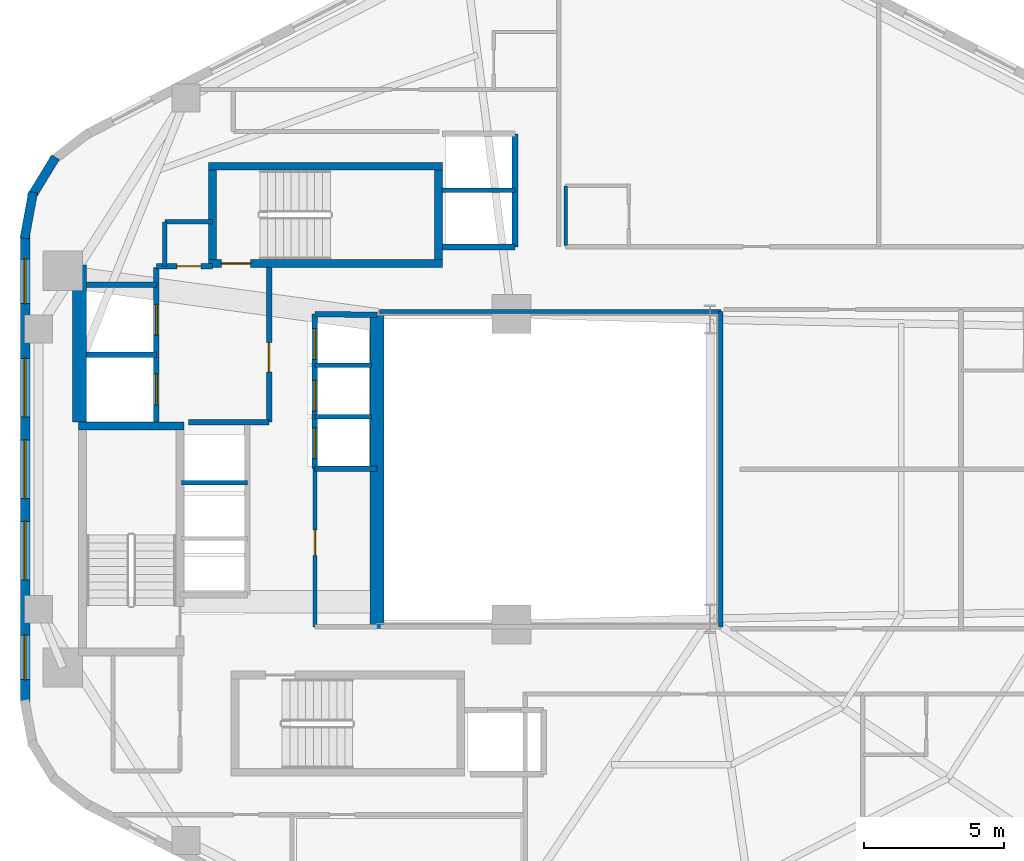
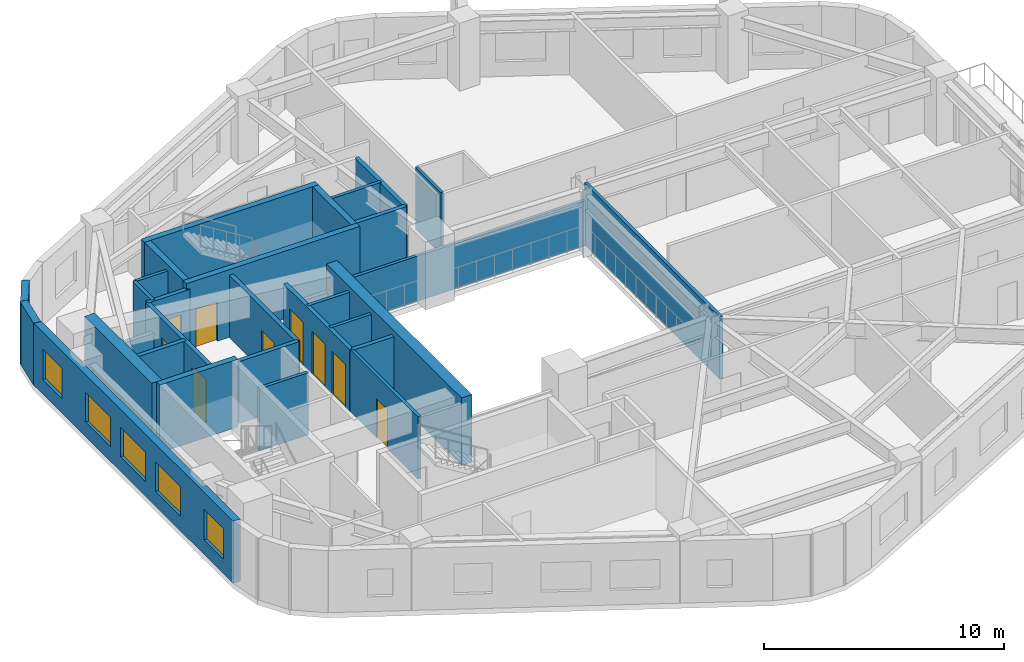
# One storey, part 5 of 9: 31 walls, 9 doors, 5 windows, 14 openings.
"""IFC4 building model written with IfcOpenShell, lengths in metres."""

from ifc_helpers import new_model, si_unit, direction, frame, frame_2d, origin, place, context, subcontext, project, spatial, rectangle, extrude, material, layer, layer_set, type_object, element, fill, save


model = new_model("IFC4")

# Units and contexts
model_context = context("Model", 3, precision=1e-05, world=origin(), true_north=direction((0.0, 1.0)))
body_context = subcontext(model_context, "Body", "Model", "MODEL_VIEW")
ifc_project = project(units=[si_unit("LENGTHUNIT", "METRE"), si_unit("AREAUNIT", "SQUARE_METRE"), si_unit("VOLUMEUNIT", "CUBIC_METRE"), si_unit("PLANEANGLEUNIT", "RADIAN"), si_unit("MASSUNIT", "GRAM", prefix="KILO"), si_unit("THERMODYNAMICTEMPERATUREUNIT", "KELVIN"), si_unit("POWERUNIT", "WATT")], contexts=[model_context])

# Site, building, storey
site_placement = place(None, origin())
site = spatial("IfcSite", under=ifc_project, at=site_placement, CompositionType="ELEMENT")
building_placement = place(site_placement, origin())
building = spatial("IfcBuilding", under=site, at=building_placement, Name="Skarre Station Tower", CompositionType="ELEMENT")
storey_placement = place(building_placement, frame((0.0, 0.0, 108.449951171875)))
storey = spatial("IfcBuildingStorey", under=building, at=storey_placement, Name="L28", CompositionType="ELEMENT", Elevation=108.449951171875)

# Wall, opening, door
ifc_material_1 = material(Name="Acoustic Steel-Stud Gypsum Partition", Category="steel")
ifc_layer_1 = layer(ifc_material_1, 0.14990234375, Name="Acoustic Steel-Stud Gypsum Partition")
ifc_layer_set_1 = layer_set([ifc_layer_1], Name="Acoustic Steel-Stud Gypsum Partition")
wall_type_1 = type_object("IfcWallType", Name="Fire-Rated Corridor Acoustic Partition 150", PredefinedType="PARTITIONING", material=ifc_layer_set_1)
wall_1_placement = place(storey_placement, frame((25.320068359375, 24.02001953125, 0.0), z_axis=(0.0, 0.0, 1.0), x_axis=(0.0, -1.0, 0.0)))
wall_1 = element("IfcWall", 1, at=wall_1_placement, inside=storey, type_object=wall_type_1, Name="L28 Interior Partition WL-PT-L28-RC1-W", PredefinedType="PARTITIONING", context=body_context, shape_type="SweptSolid", body=[
    extrude(rectangle(XDim=5.659912109375, YDim=0.14990234375, at=frame_2d((2.830078125, 0.0))), origin(), (0.0, 0.0, 1.0), 3.16015625),
])
opening_1_placement = place(wall_1_placement, frame((2.199951171875, 0.0, 0.0)))
opening_1 = element("IfcOpeningElement", 2, at=opening_1_placement, cuts=wall_1, Name="Opening DR-SVC90", PredefinedType="OPENING", context=body_context, shape_type="SweptSolid", body=[
    extrude(rectangle(XDim=0.89990234375, YDim=2.0, at=frame_2d((0.449951171875, 1.0))), frame((0.0, 0.0849609375, 0.0), z_axis=(0.0, -1.0, 0.0), x_axis=(1.0, 0.0, 0.0)), (0.0, 0.0, 1.0), 0.169921875),
])
ifc_material_2 = material(Name="Powder-Coated Hollow-Metal Acoustic Fire Leaf", Category="steel")
door_type_1 = type_object("IfcDoorType", Name="Service & Riser Fire Door FD60 900x2100", OperationType="SINGLE_SWING_LEFT", PredefinedType="DOOR", material=ifc_material_2)
door_1_placement = place(opening_1_placement, origin())
door_1 = element("IfcDoor", 3, at=door_1_placement, inside=storey, type_object=door_type_1, Name="L28 Guest Pantry Door", OperationType="SINGLE_SWING_LEFT", OverallHeight=2.0, OverallWidth=0.89990234375, PredefinedType="DOOR", context=body_context, shape_type="SweptSolid", body=[
    extrude(rectangle(XDim=0.89990234375, YDim=2.0, at=frame_2d((0.449951171875, 1.0))), frame((0.0, 0.02490234375, 0.0), z_axis=(0.0, -1.0, 0.0), x_axis=(1.0, 0.0, 0.0)), (0.0, 0.0, 1.0), 0.050048828125),
])
fill(opening_1, door_1)

# Walls
wall_2_placement = place(storey_placement, frame((19.949951171875, 32.85009765625, 0.0), z_axis=(0.0, 0.0, 1.0), x_axis=(0.0, -1.0, 0.0)))
element("IfcWall", 4, at=wall_2_placement, inside=storey, type_object=wall_type_1, Name="L28 Interior Partition WL-PT-L28-CNW-W", PredefinedType="PARTITIONING", context=body_context, shape_type="SweptSolid", body=[
    extrude(rectangle(XDim=1.590087890625, YDim=0.14990234375, at=frame_2d((0.794921875, 0.0))), origin(), (0.0, 0.0, 1.0), 3.16015625),
])
wall_3_placement = place(storey_placement, frame((21.659912109375, 32.85009765625, 0.0), z_axis=(0.0, 0.0, 1.0), x_axis=(-1.0, 0.0, 0.0)))
element("IfcWall", 5, at=wall_3_placement, inside=storey, type_object=wall_type_1, Name="L28 Interior Partition WL-PT-L28-CNW-N1", PredefinedType="PARTITIONING", context=body_context, shape_type="SweptSolid", body=[
    extrude(rectangle(XDim=1.7099609375, YDim=0.14990234375, at=frame_2d((0.85498046875, 0.0))), origin(), (0.0, 0.0, 1.0), 3.16015625),
])
wall_4_placement = place(storey_placement, frame((39.840087890625, 29.639892578125, 0.0), z_axis=(0.0, 0.0, 1.0), x_axis=(-1.0, 0.0, 0.0)))
element("IfcWall", 6, at=wall_4_placement, inside=storey, type_object=wall_type_1, Name="L28 Interior Partition WL-PT-L28-ATRW-N", PredefinedType="PARTITIONING", context=body_context, shape_type="SweptSolid", body=[
    extrude(rectangle(XDim=12.2001953125, YDim=0.14990234375, at=frame_2d((6.10009765625, 0.0))), origin(), (0.0, 0.0, 1.0), 2.301025390625),
])
wall_5_placement = place(storey_placement, frame((39.840087890625, 18.360107421875, 0.0), z_axis=(0.0, 0.0, 1.0), x_axis=(0.0, 1.0, 0.0)))
element("IfcWall", 7, at=wall_5_placement, inside=storey, type_object=wall_type_1, Name="L28 Interior Partition WL-PT-L28-ATRW-E", PredefinedType="PARTITIONING", context=body_context, shape_type="SweptSolid", body=[
    extrude(rectangle(XDim=11.27978515625, YDim=0.14990234375, at=frame_2d((5.639892578125, 0.0))), origin(), (0.0, 0.0, 1.0), 3.16015625),
])
ifc_material_3 = material(Name="Insulated Timber-Stud Gypsum Partition", Category="wood")
ifc_layer_2 = layer(ifc_material_3, 0.1201171875, Name="Insulated Timber-Stud Gypsum Partition")
ifc_layer_set_2 = layer_set([ifc_layer_2], Name="Insulated Timber-Stud Gypsum Partition")
wall_type_2 = type_object("IfcWallType", Name="Internal Suite Acoustic Partition 120", PredefinedType="PARTITIONING", material=ifc_layer_set_2)
wall_6_placement = place(storey_placement, frame((34.2900390625, 34.139892578125, 0.0), z_axis=(0.0, 0.0, 1.0), x_axis=(0.0, -1.0, 0.0)))
element("IfcWall", 8, at=wall_6_placement, inside=storey, type_object=wall_type_2, Name="L28 Interior Partition WL-PT-L28-NW1-EW4", PredefinedType="PARTITIONING", context=body_context, shape_type="SweptSolid", body=[
    extrude(rectangle(XDim=2.139892578125, YDim=0.1201171875, at=frame_2d((1.06982421875, 0.0))), origin(), (0.0, 0.0, 1.0), 3.16015625),
])

# Wall, openings, windows
ifc_material_4 = material(Name="Precast concrete C45/55", Category="concrete")
ifc_layer_3 = layer(ifc_material_4, 0.340087890625, Name="Precast concrete C45/55")
ifc_layer_set_3 = layer_set([ifc_layer_3], Name="Precast concrete C45/55")
wall_type_3 = type_object("IfcWallType", Name="Nordic Honed Precast Facet Wall 340", PredefinedType="STANDARD", material=ifc_layer_set_3)
wall_7_placement = place(storey_placement, frame((14.951904296875, 15.64794921875, 0.0), z_axis=(0.0, 0.0, 1.0), x_axis=(0.0, 1.0, 0.0)))
wall_7 = element("IfcWall", 9, at=wall_7_placement, inside=storey, type_object=wall_type_3, Name="L28 Facet 2 Nordic Precast Masonry Wall", PredefinedType="STANDARD", context=body_context, shape_type="SweptSolid", body=[
    extrude(rectangle(XDim=16.7041015625, YDim=0.340087890625, at=frame_2d((8.35205078125, 0.0))), origin(), (0.0, 0.0, 1.0), 3.16015625),
])
opening_2_placement = place(wall_7_placement, frame((0.825927734375, 0.0, 0.75)))
opening_2 = element("IfcOpeningElement", 10, at=opening_2_placement, cuts=wall_7, Name="Opening WN-Z2A", PredefinedType="OPENING", context=body_context, shape_type="SweptSolid", body=[
    extrude(rectangle(XDim=1.60009765625, YDim=1.550048828125, at=frame_2d((0.800048828125, 0.77490234375))), frame((0.0, 0.179931640625, 0.0), z_axis=(0.0, -1.0, 0.0), x_axis=(1.0, 0.0, 0.0)), (0.0, 0.0, 1.0), 0.360107421875),
])
opening_3_placement = place(wall_7_placement, frame((4.387939453125, 0.0, 0.75)))
opening_3 = element("IfcOpeningElement", 11, at=opening_3_placement, cuts=wall_7, Name="Opening WN-Z2B", PredefinedType="OPENING", context=body_context, shape_type="SweptSolid", body=[
    extrude(rectangle(XDim=2.10009765625, YDim=1.5, at=frame_2d((1.050048828125, 0.75))), frame((0.0, 0.179931640625, 0.0), z_axis=(0.0, -1.0, 0.0), x_axis=(1.0, 0.0, 0.0)), (0.0, 0.0, 1.0), 0.360107421875),
])
opening_4_placement = place(wall_7_placement, frame((7.302001953125, 0.0, 0.75)))
opening_4 = element("IfcOpeningElement", 12, at=opening_4_placement, cuts=wall_7, Name="Opening WN-Z2B", PredefinedType="OPENING", context=body_context, shape_type="SweptSolid", body=[
    extrude(rectangle(XDim=2.10009765625, YDim=1.5, at=frame_2d((1.050048828125, 0.75))), frame((0.0, 0.179931640625, 0.0), z_axis=(0.0, -1.0, 0.0), x_axis=(1.0, 0.0, 0.0)), (0.0, 0.0, 1.0), 0.360107421875),
])
opening_5_placement = place(wall_7_placement, frame((10.216064453125, 0.0, 0.75)))
opening_5 = element("IfcOpeningElement", 13, at=opening_5_placement, cuts=wall_7, Name="Opening WN-Z2B", PredefinedType="OPENING", context=body_context, shape_type="SweptSolid", body=[
    extrude(rectangle(XDim=2.10009765625, YDim=1.5, at=frame_2d((1.050048828125, 0.75))), frame((0.0, 0.179931640625, 0.0), z_axis=(0.0, -1.0, 0.0), x_axis=(1.0, 0.0, 0.0)), (0.0, 0.0, 1.0), 0.360107421875),
])
opening_6_placement = place(wall_7_placement, frame((14.278076171875, 0.0, 0.75)))
opening_6 = element("IfcOpeningElement", 14, at=opening_6_placement, cuts=wall_7, Name="Opening WN-Z2A", PredefinedType="OPENING", context=body_context, shape_type="SweptSolid", body=[
    extrude(rectangle(XDim=1.60009765625, YDim=1.550048828125, at=frame_2d((0.800048828125, 0.77490234375))), frame((0.0, 0.179931640625, 0.0), z_axis=(0.0, -1.0, 0.0), x_axis=(1.0, 0.0, 0.0)), (0.0, 0.0, 1.0), 0.360107421875),
])
ifc_material_5 = material(Name="Low-Iron Triple Glazing with Bronze Anodized Frame", Category="glass")
window_type_1 = type_object("IfcWindowType", Name="Nordic Residential Tall Window 1600x1550", PartitioningType="SINGLE_PANEL", PredefinedType="WINDOW", material=ifc_material_5)
window_1_placement = place(opening_2_placement, origin())
window_1 = element("IfcWindow", 15, at=window_1_placement, inside=storey, type_object=window_type_1, Name="L28 Facade Window WL-FAC-L28-F2-1", OverallHeight=1.550048828125, OverallWidth=1.60009765625, PartitioningType="SINGLE_PANEL", PredefinedType="WINDOW", context=body_context, shape_type="SweptSolid", body=[
    extrude(rectangle(XDim=1.60009765625, YDim=1.550048828125, at=frame_2d((0.800048828125, 0.77490234375))), frame((0.0, 0.030029296875, 0.0), z_axis=(0.0, -1.0, 0.0), x_axis=(1.0, 0.0, 0.0)), (0.0, 0.0, 1.0), 0.06005859375),
])
fill(opening_2, window_1)
window_2_placement = place(opening_6_placement, origin())
window_2 = element("IfcWindow", 16, at=window_2_placement, inside=storey, type_object=window_type_1, Name="L28 Facade Window WL-FAC-L28-F2-5", OverallHeight=1.550048828125, OverallWidth=1.60009765625, PartitioningType="SINGLE_PANEL", PredefinedType="WINDOW", context=body_context, shape_type="SweptSolid", body=[
    extrude(rectangle(XDim=1.60009765625, YDim=1.550048828125, at=frame_2d((0.800048828125, 0.77490234375))), frame((0.0, 0.030029296875, 0.0), z_axis=(0.0, -1.0, 0.0), x_axis=(1.0, 0.0, 0.0)), (0.0, 0.0, 1.0), 0.06005859375),
])
fill(opening_6, window_2)
window_type_2 = type_object("IfcWindowType", Name="Nordic Residential Twin Window 2100x1500", PartitioningType="SINGLE_PANEL", PredefinedType="WINDOW", material=ifc_material_5)
window_3_placement = place(opening_3_placement, origin())
window_3 = element("IfcWindow", 17, at=window_3_placement, inside=storey, type_object=window_type_2, Name="L28 Facade Window WL-FAC-L28-F2-2", OverallHeight=1.5, OverallWidth=2.10009765625, PartitioningType="SINGLE_PANEL", PredefinedType="WINDOW", context=body_context, shape_type="SweptSolid", body=[
    extrude(rectangle(XDim=2.10009765625, YDim=1.5, at=frame_2d((1.050048828125, 0.75))), frame((0.0, 0.030029296875, 0.0), z_axis=(0.0, -1.0, 0.0), x_axis=(1.0, 0.0, 0.0)), (0.0, 0.0, 1.0), 0.06005859375),
])
fill(opening_3, window_3)
window_4_placement = place(opening_4_placement, origin())
window_4 = element("IfcWindow", 18, at=window_4_placement, inside=storey, type_object=window_type_2, Name="L28 Facade Window WL-FAC-L28-F2-3", OverallHeight=1.5, OverallWidth=2.10009765625, PartitioningType="SINGLE_PANEL", PredefinedType="WINDOW", context=body_context, shape_type="SweptSolid", body=[
    extrude(rectangle(XDim=2.10009765625, YDim=1.5, at=frame_2d((1.050048828125, 0.75))), frame((0.0, 0.030029296875, 0.0), z_axis=(0.0, -1.0, 0.0), x_axis=(1.0, 0.0, 0.0)), (0.0, 0.0, 1.0), 0.06005859375),
])
fill(opening_4, window_4)
window_5_placement = place(opening_5_placement, origin())
window_5 = element("IfcWindow", 19, at=window_5_placement, inside=storey, type_object=window_type_2, Name="L28 Facade Window WL-FAC-L28-F2-4", OverallHeight=1.5, OverallWidth=2.10009765625, PartitioningType="SINGLE_PANEL", PredefinedType="WINDOW", context=body_context, shape_type="SweptSolid", body=[
    extrude(rectangle(XDim=2.10009765625, YDim=1.5, at=frame_2d((1.050048828125, 0.75))), frame((0.0, 0.030029296875, 0.0), z_axis=(0.0, -1.0, 0.0), x_axis=(1.0, 0.0, 0.0)), (0.0, 0.0, 1.0), 0.06005859375),
])
fill(opening_5, window_5)

# Walls
ifc_layer_4 = layer(ifc_material_4, 0.330078125, Name="Precast concrete C45/55")
ifc_layer_set_4 = layer_set([ifc_layer_4], Name="Precast concrete C45/55")
wall_type_4 = type_object("IfcWallType", Name="Nordic Rounded Corner Precast Wall 330", PredefinedType="STANDARD", material=ifc_layer_set_4)
wall_8_placement = place(storey_placement, frame((14.931884765625, 32.258056640625, 0.0), z_axis=(0.0, 0.0, 1.0), x_axis=(0.181984991895, 0.983301308209, 0.0)))
element("IfcWall", 20, at=wall_8_placement, inside=storey, type_object=wall_type_4, Name="L28 Rounded Corner Precast Wall F2-1", PredefinedType="STANDARD", context=body_context, shape_type="SweptSolid", body=[
    extrude(rectangle(XDim=1.677001953125, YDim=0.330078125, at=frame_2d((0.83837890625, 0.0))), origin(), (0.0, 0.0, 1.0), 3.16015625),
])
wall_9_placement = place(storey_placement, frame((15.169921875, 33.73193359375, 0.0), z_axis=(0.0, 0.0, 1.0), x_axis=(0.520519429557, 0.853849824883, 0.0)))
element("IfcWall", 21, at=wall_9_placement, inside=storey, type_object=wall_type_4, Name="L28 Rounded Corner Precast Wall F2-2", PredefinedType="STANDARD", context=body_context, shape_type="SweptSolid", body=[
    extrude(rectangle(XDim=1.67724609375, YDim=0.330078125, at=frame_2d((0.838623046875, 0.0))), origin(), (0.0, 0.0, 1.0), 3.16015625),
])
ifc_material_6 = material(Name="Concrete C50/60", Category="concrete")
ifc_layer_5 = layer(ifc_material_6, 0.280029296875, Name="Concrete C50/60")
ifc_layer_set_5 = layer_set([ifc_layer_5], Name="Concrete C50/60")
wall_type_5 = type_object("IfcWallType", Name="RC Core Shear Wall 280", PredefinedType="SHEAR", material=ifc_layer_set_5)
wall_10_placement = place(storey_placement, frame((20.6298828125, 25.5400390625, 0.0), z_axis=(0.0, 0.0, 1.0), x_axis=(-1.0, 0.0, 0.0)))
element("IfcWall", 22, at=wall_10_placement, inside=storey, type_object=wall_type_5, Name="L28 Stair ST-1 North Shear Wall", PredefinedType="SHEAR", context=body_context, shape_type="SweptSolid", body=[
    extrude(rectangle(XDim=3.759765625, YDim=0.280029296875, at=frame_2d((1.8798828125, 0.0))), origin(), (0.0, 0.0, 1.0), 3.449951171875),
])

# Wall, opening, door
wall_11_placement = place(storey_placement, frame((21.52001953125, 31.360107421875, 0.0), z_axis=(0.0, 0.0, 1.0), x_axis=(1.0, 0.0, 0.0)))
wall_11 = element("IfcWall", 23, at=wall_11_placement, inside=storey, type_object=wall_type_5, Name="L28 Stair ST-3 South Shear Wall", PredefinedType="SHEAR", context=body_context, shape_type="SweptSolid", body=[
    extrude(rectangle(XDim=8.35986328125, YDim=0.280029296875, at=frame_2d((4.179931640625, 0.0))), origin(), (0.0, 0.0, 1.0), 3.449951171875),
])
opening_7_placement = place(wall_11_placement, frame((0.449951171875, 0.0, 0.0)))
opening_7 = element("IfcOpeningElement", 24, at=opening_7_placement, cuts=wall_11, Name="Opening DR-FD90", PredefinedType="OPENING", context=body_context, shape_type="SweptSolid", body=[
    extrude(rectangle(XDim=1.050048828125, YDim=2.0, at=frame_2d((0.52490234375, 1.0))), frame((0.0, 0.14990234375, 0.0), z_axis=(0.0, -1.0, 0.0), x_axis=(1.0, 0.0, 0.0)), (0.0, 0.0, 1.0), 0.300048828125),
])
ifc_material_7 = material(Name="Fire-Rated Insulated Steel Frame & Timber Core Leaf", Category="steel")
door_type_2 = type_object("IfcDoorType", Name="Stair & FSAE Lobby Fire Door FD90 1050x2150", OperationType="SINGLE_SWING_RIGHT", PredefinedType="DOOR", material=ifc_material_7)
door_2_placement = place(opening_7_placement, origin())
door_2 = element("IfcDoor", 25, at=door_2_placement, inside=storey, type_object=door_type_2, Name="L28 Stair ST-3 & FSAE Lobby Direct Exit Door", OperationType="SINGLE_SWING_LEFT", OverallHeight=2.0, OverallWidth=1.050048828125, PredefinedType="DOOR", context=body_context, shape_type="SweptSolid", body=[
    extrude(rectangle(XDim=1.050048828125, YDim=2.0, at=frame_2d((0.52490234375, 1.0))), frame((0.0, 0.02490234375, 0.0), z_axis=(0.0, -1.0, 0.0), x_axis=(1.0, 0.0, 0.0)), (0.0, 0.0, 1.0), 0.050048828125),
])
fill(opening_7, door_2)

# Walls
wall_12_placement = place(storey_placement, frame((29.8798828125, 34.840087890625, 0.0), z_axis=(0.0, 0.0, 1.0), x_axis=(-1.0, 0.0, 0.0)))
element("IfcWall", 26, at=wall_12_placement, inside=storey, type_object=wall_type_5, Name="L28 Stair ST-3 North Shear Wall", PredefinedType="SHEAR", context=body_context, shape_type="SweptSolid", body=[
    extrude(rectangle(XDim=8.35986328125, YDim=0.280029296875, at=frame_2d((4.179931640625, 0.0))), origin(), (0.0, 0.0, 1.0), 3.449951171875),
])
for number, where, z_axis, x_axis, name in (
    (27, (21.659912109375, 34.699951171875, 0.0), (0.0, 0.0, 1.0), (0.0, -1.0, 0.0), "L28 Stair ST-3 West Shear Wall"),
    (28, (29.739990234375, 31.5, 0.0), (0.0, 0.0, 1.0), (0.0, 1.0, 0.0), "L28 Stair ST-3 East Shear Wall"),
):
    element("IfcWall", number, at=place(storey_placement, frame(where, z_axis=z_axis, x_axis=x_axis)), inside=storey, type_object=wall_type_5, Name=name, PredefinedType="SHEAR", context=body_context, shape_type="SweptSolid", body=[
        extrude(rectangle(XDim=3.199951171875, YDim=0.280029296875, at=frame_2d((1.60009765625, 0.0))), origin(), (0.0, 0.0, 1.0), 3.449951171875),
    ])
ifc_material_8 = material(Name="Concrete C70/85", Category="concrete")
ifc_layer_6 = layer(ifc_material_8, 0.5, Name="Concrete C70/85")
ifc_layer_set_6 = layer_set([ifc_layer_6], Name="Concrete C70/85")
wall_type_6 = type_object("IfcWallType", Name="RC Core Shear Wall 500", PredefinedType="SHEAR", material=ifc_layer_set_6)
wall_13_placement = place(storey_placement, frame((16.89990234375, 25.679931640625, 0.0), z_axis=(0.0, 0.0, 1.0), x_axis=(0.0, 1.0, 0.0)))
element("IfcWall", 29, at=wall_13_placement, inside=storey, type_object=wall_type_6, Name="L28 Core West-North Shear Wall", PredefinedType="SHEAR", context=body_context, shape_type="SweptSolid", body=[
    extrude(rectangle(XDim=5.6201171875, YDim=0.5, at=frame_2d((2.81005859375, 0.0))), origin(), (0.0, 0.0, 1.0), 3.449951171875),
])
wall_14_placement = place(storey_placement, frame((27.550048828125, 29.550048828125, 0.0), z_axis=(0.0, 0.0, 1.0), x_axis=(0.0, -1.0, 0.0)))
element("IfcWall", 30, at=wall_14_placement, inside=storey, type_object=wall_type_6, Name="L28 Core East Atrium Shear Wall", PredefinedType="SHEAR", context=body_context, shape_type="SweptSolid", body=[
    extrude(rectangle(XDim=11.25, YDim=0.5, at=frame_2d((5.625, 0.0))), origin(), (0.0, 0.0, 1.0), 3.449951171875),
])

# Wall, openings, doors
ifc_material_9 = material(Name="Gypsum Concrete Shaft Assembly C30/37", Category="concrete")
ifc_layer_7 = layer(ifc_material_9, 0.199951171875, Name="Gypsum Concrete Shaft Assembly C30/37")
ifc_layer_set_7 = layer_set([ifc_layer_7], Name="Gypsum Concrete Shaft Assembly C30/37")
wall_type_7 = type_object("IfcWallType", Name="Shaft & Core Fire Partition 200", PredefinedType="PARTITIONING", material=ifc_layer_set_7)
wall_15_placement = place(storey_placement, frame((19.64990234375, 25.679931640625, 0.0), z_axis=(0.0, 0.0, 1.0), x_axis=(0.0, 1.0, 0.0)))
wall_15 = element("IfcWall", 31, at=wall_15_placement, inside=storey, type_object=wall_type_7, Name="L28 Interior Partition WL-PT-L28-FSAE-W", PredefinedType="PARTITIONING", context=body_context, shape_type="SweptSolid", body=[
    extrude(rectangle(XDim=5.5400390625, YDim=0.199951171875, at=frame_2d((2.77001953125, 0.0))), origin(), (0.0, 0.0, 1.0), 3.16015625),
])
opening_8_placement = place(wall_15_placement, frame((0.6201171875, 0.0, 0.0)))
opening_8 = element("IfcOpeningElement", 32, at=opening_8_placement, cuts=wall_15, Name="Opening LD-FF1", PredefinedType="OPENING", context=body_context, shape_type="SweptSolid", body=[
    extrude(rectangle(XDim=1.10009765625, YDim=2.199951171875, at=frame_2d((0.550048828125, 1.10009765625))), frame((0.0, 0.10986328125, 0.0), z_axis=(0.0, -1.0, 0.0), x_axis=(1.0, 0.0, 0.0)), (0.0, 0.0, 1.0), 0.219970703125),
])
opening_9_placement = place(wall_15_placement, frame((3.1201171875, 0.0, 0.0)))
opening_9 = element("IfcOpeningElement", 33, at=opening_9_placement, cuts=wall_15, Name="Opening LD-FF2", PredefinedType="OPENING", context=body_context, shape_type="SweptSolid", body=[
    extrude(rectangle(XDim=1.10009765625, YDim=2.199951171875, at=frame_2d((0.550048828125, 1.10009765625))), frame((0.0, 0.10986328125, 0.0), z_axis=(0.0, -1.0, 0.0), x_axis=(1.0, 0.0, 0.0)), (0.0, 0.0, 1.0), 0.219970703125),
])
ifc_material_10 = material(Name="Fire-Rated Stainless Steel Grade 316L Sliding Leaves", Category="steel")
door_type_3 = type_object("IfcDoorType", Name="Fire Service Access Elevator Sliding Landing Door 1100x2200", OperationType="SLIDING_TO_LEFT", PredefinedType="DOOR", material=ifc_material_10)
door_3_placement = place(opening_8_placement, origin())
door_3 = element("IfcDoor", 34, at=door_3_placement, inside=storey, type_object=door_type_3, Name="L28 Firefighting Lift LF-FF1 Landing Door", OperationType="SLIDING_TO_LEFT", OverallHeight=2.199951171875, OverallWidth=1.10009765625, PredefinedType="DOOR", context=body_context, shape_type="SweptSolid", body=[
    extrude(rectangle(XDim=1.10009765625, YDim=2.199951171875, at=frame_2d((0.550048828125, 1.10009765625))), frame((0.0, 0.02490234375, 0.0), z_axis=(0.0, -1.0, 0.0), x_axis=(1.0, 0.0, 0.0)), (0.0, 0.0, 1.0), 0.050048828125),
])
fill(opening_8, door_3)
door_4_placement = place(opening_9_placement, origin())
door_4 = element("IfcDoor", 35, at=door_4_placement, inside=storey, type_object=door_type_3, Name="L28 Firefighting Lift LF-FF2 Landing Door", OperationType="SLIDING_TO_LEFT", OverallHeight=2.199951171875, OverallWidth=1.10009765625, PredefinedType="DOOR", context=body_context, shape_type="SweptSolid", body=[
    extrude(rectangle(XDim=1.10009765625, YDim=2.199951171875, at=frame_2d((0.550048828125, 1.10009765625))), frame((0.0, 0.02490234375, 0.0), z_axis=(0.0, -1.0, 0.0), x_axis=(1.0, 0.0, 0.0)), (0.0, 0.0, 1.0), 0.050048828125),
])
fill(opening_9, door_4)

# Wall
wall_16_placement = place(storey_placement, frame((20.79296875, 25.679931640625, 0.0), z_axis=(0.0, 0.0, 1.0), x_axis=(1.0, 0.0, 0.0)))
element("IfcWall", 36, at=wall_16_placement, inside=storey, type_object=wall_type_7, Name="L28 Interior Partition WL-PT-L28-FSAE-S", PredefinedType="PARTITIONING", context=body_context, shape_type="SweptSolid", body=[
    extrude(rectangle(XDim=2.886962890625, YDim=0.199951171875, at=frame_2d((1.443359375, 0.0))), origin(), (0.0, 0.0, 1.0), 3.16015625),
])

# Wall, opening, door
wall_17_placement = place(storey_placement, frame((23.679931640625, 25.679931640625, 0.0), z_axis=(0.0, 0.0, 1.0), x_axis=(0.0, 1.0, 0.0)))
wall_17 = element("IfcWall", 37, at=wall_17_placement, inside=storey, type_object=wall_type_7, Name="L28 Interior Partition WL-PT-L28-FSAE-E", PredefinedType="PARTITIONING", context=body_context, shape_type="SweptSolid", body=[
    extrude(rectangle(XDim=5.5400390625, YDim=0.199951171875, at=frame_2d((2.77001953125, 0.0))), origin(), (0.0, 0.0, 1.0), 3.16015625),
])
opening_10_placement = place(wall_17_placement, frame((1.800048828125, 0.0, 0.0)))
opening_10 = element("IfcOpeningElement", 38, at=opening_10_placement, cuts=wall_17, Name="Opening DR-FD90", PredefinedType="OPENING", context=body_context, shape_type="SweptSolid", body=[
    extrude(rectangle(XDim=1.050048828125, YDim=2.0, at=frame_2d((0.52490234375, 1.0))), frame((0.0, 0.10986328125, 0.0), z_axis=(0.0, -1.0, 0.0), x_axis=(1.0, 0.0, 0.0)), (0.0, 0.0, 1.0), 0.219970703125),
])
door_5_placement = place(opening_10_placement, origin())
door_5 = element("IfcDoor", 39, at=door_5_placement, inside=storey, type_object=door_type_2, Name="L28 FSAE Lobby Fire Door", OperationType="SINGLE_SWING_RIGHT", OverallHeight=2.0, OverallWidth=1.050048828125, PredefinedType="DOOR", context=body_context, shape_type="SweptSolid", body=[
    extrude(rectangle(XDim=1.050048828125, YDim=2.0, at=frame_2d((0.52490234375, 1.0))), frame((0.0, 0.02490234375, 0.0), z_axis=(0.0, -1.0, 0.0), x_axis=(1.0, 0.0, 0.0)), (0.0, 0.0, 1.0), 0.050048828125),
])
fill(opening_10, door_5)

wall_18_placement = place(storey_placement, frame((21.659912109375, 31.260009765625, 0.0), z_axis=(0.0, 0.0, 1.0), x_axis=(-1.0, 0.0, 0.0)))
wall_18 = element("IfcWall", 40, at=wall_18_placement, inside=storey, type_object=wall_type_7, Name="L28 Interior Partition WL-PT-L28-FSAE-N", PredefinedType="PARTITIONING", context=body_context, shape_type="SweptSolid", body=[
    extrude(rectangle(XDim=2.010009765625, YDim=0.199951171875, at=frame_2d((1.0048828125, 0.0))), origin(), (0.0, 0.0, 1.0), 3.16015625),
])
opening_11_placement = place(wall_18_placement, frame((0.419921875, 0.0, 0.0)))
opening_11 = element("IfcOpeningElement", 41, at=opening_11_placement, cuts=wall_18, Name="Opening DR-SVC86", PredefinedType="OPENING", context=body_context, shape_type="SweptSolid", body=[
    extrude(rectangle(XDim=0.860107421875, YDim=2.0, at=frame_2d((0.43017578125, 1.0))), frame((0.0, 0.10986328125, 0.0), z_axis=(0.0, -1.0, 0.0), x_axis=(1.0, 0.0, 0.0)), (0.0, 0.0, 1.0), 0.219970703125),
])
door_type_4 = type_object("IfcDoorType", Name="Compact Riser Fire Door FD60 860x2100", OperationType="SINGLE_SWING_LEFT", PredefinedType="DOOR", material=ifc_material_2)
door_6_placement = place(opening_11_placement, origin())
door_6 = element("IfcDoor", 42, at=door_6_placement, inside=storey, type_object=door_type_4, Name="L28 Core Service Room Lobby Door", OperationType="SINGLE_SWING_LEFT", OverallHeight=2.0, OverallWidth=0.860107421875, PredefinedType="DOOR", context=body_context, shape_type="SweptSolid", body=[
    extrude(rectangle(XDim=0.860107421875, YDim=2.0, at=frame_2d((0.43017578125, 1.0))), frame((0.0, 0.02490234375, 0.0), z_axis=(0.0, -1.0, 0.0), x_axis=(1.0, 0.0, 0.0)), (0.0, 0.0, 1.0), 0.050048828125),
])
fill(opening_11, door_6)

# Walls
wall_19_placement = place(storey_placement, frame((17.14990234375, 28.10009765625, 0.0), z_axis=(0.0, 0.0, 1.0), x_axis=(1.0, 0.0, 0.0)))
element("IfcWall", 43, at=wall_19_placement, inside=storey, type_object=wall_type_7, Name="L28 Interior Partition WL-PT-L28-FF-DIV", PredefinedType="PARTITIONING", context=body_context, shape_type="SweptSolid", body=[
    extrude(rectangle(XDim=2.5, YDim=0.199951171875, at=frame_2d((1.25, 0.0))), origin(), (0.0, 0.0, 1.0), 3.16015625),
])
wall_20_placement = place(storey_placement, frame((19.64990234375, 30.60009765625, 0.0), z_axis=(0.0, 0.0, 1.0), x_axis=(-1.0, 0.0, 0.0)))
element("IfcWall", 44, at=wall_20_placement, inside=storey, type_object=wall_type_7, Name="L28 Interior Partition WL-PT-L28-FF-N", PredefinedType="PARTITIONING", context=body_context, shape_type="SweptSolid", body=[
    extrude(rectangle(XDim=2.5, YDim=0.199951171875, at=frame_2d((1.25, 0.0))), origin(), (0.0, 0.0, 1.0), 2.06005859375),
])
wall_21_placement = place(storey_placement, frame((32.47998046875, 31.949951171875, 0.0), z_axis=(0.0, 0.0, 1.0), x_axis=(0.0, 1.0, 0.0)))
element("IfcWall", 45, at=wall_21_placement, inside=storey, type_object=wall_type_7, Name="L28 Interior Partition WL-PT-L28-EX-E", PredefinedType="PARTITIONING", context=body_context, shape_type="SweptSolid", body=[
    extrude(rectangle(XDim=4.050048828125, YDim=0.199951171875, at=frame_2d((2.02490234375, 0.0))), origin(), (0.0, 0.0, 1.0), 3.16015625),
])
wall_22_placement = place(storey_placement, frame((32.47998046875, 31.949951171875, 0.0), z_axis=(0.0, 0.0, 1.0), x_axis=(-1.0, 0.0, 0.0)))
element("IfcWall", 46, at=wall_22_placement, inside=storey, type_object=wall_type_7, Name="L28 Interior Partition WL-PT-L28-EX-S", PredefinedType="PARTITIONING", context=body_context, shape_type="SweptSolid", body=[
    extrude(rectangle(XDim=2.60009765625, YDim=0.199951171875, at=frame_2d((1.300048828125, 0.0))), origin(), (0.0, 0.0, 1.0), 3.16015625),
])
wall_23_placement = place(storey_placement, frame((29.875, 33.97998046875, 0.0), z_axis=(0.0, 0.0, 1.0), x_axis=(1.0, 0.0, 0.0)))
element("IfcWall", 47, at=wall_23_placement, inside=storey, type_object=wall_type_7, Name="L28 Interior Partition WL-PT-L28-EX-DIV", PredefinedType="PARTITIONING", context=body_context, shape_type="SweptSolid", body=[
    extrude(rectangle(XDim=2.60498046875, YDim=0.159912109375, at=frame_2d((1.302490234375, 0.0))), origin(), (0.0, 0.0, 1.0), 3.16015625),
])
wall_24_placement = place(storey_placement, frame((20.550048828125, 23.52001953125, 0.0), z_axis=(0.0, 0.0, 1.0), x_axis=(1.0, 0.0, 0.0)))
element("IfcWall", 48, at=wall_24_placement, inside=storey, type_object=wall_type_7, Name="L28 Interior Partition WL-PT-L28-B3-D2", PredefinedType="PARTITIONING", context=body_context, shape_type="SweptSolid", body=[
    extrude(rectangle(XDim=2.349853515625, YDim=0.159912109375, at=frame_2d((1.1748046875, 0.0))), origin(), (0.0, 0.0, 1.0), 3.16015625),
])

# Wall, openings, doors
wall_25_placement = place(storey_placement, frame((25.320068359375, 29.550048828125, 0.0), z_axis=(0.0, 0.0, 1.0), x_axis=(0.0, -1.0, 0.0)))
wall_25 = element("IfcWall", 49, at=wall_25_placement, inside=storey, type_object=wall_type_7, Name="L28 Interior Partition WL-PT-L28-B2-W", PredefinedType="PARTITIONING", context=body_context, shape_type="SweptSolid", body=[
    extrude(rectangle(XDim=5.530029296875, YDim=0.199951171875, at=frame_2d((2.76513671875, 0.0))), origin(), (0.0, 0.0, 1.0), 3.16015625),
])
opening_12_placement = place(wall_25_placement, frame((0.52001953125, 0.0, 0.0)))
opening_12 = element("IfcOpeningElement", 50, at=opening_12_placement, cuts=wall_25, Name="Opening LD-P6", PredefinedType="OPENING", context=body_context, shape_type="SweptSolid", body=[
    extrude(rectangle(XDim=1.10009765625, YDim=2.199951171875, at=frame_2d((0.550048828125, 1.10009765625))), frame((0.0, 0.10986328125, 0.0), z_axis=(0.0, -1.0, 0.0), x_axis=(1.0, 0.0, 0.0)), (0.0, 0.0, 1.0), 0.219970703125),
])
opening_13_placement = place(wall_25_placement, frame((2.3701171875, 0.0, 0.0)))
opening_13 = element("IfcOpeningElement", 51, at=opening_13_placement, cuts=wall_25, Name="Opening LD-P5", PredefinedType="OPENING", context=body_context, shape_type="SweptSolid", body=[
    extrude(rectangle(XDim=1.10009765625, YDim=2.199951171875, at=frame_2d((0.550048828125, 1.10009765625))), frame((0.0, 0.10986328125, 0.0), z_axis=(0.0, -1.0, 0.0), x_axis=(1.0, 0.0, 0.0)), (0.0, 0.0, 1.0), 0.219970703125),
])
opening_14_placement = place(wall_25_placement, frame((4.070068359375, 0.0, 0.0)))
opening_14 = element("IfcOpeningElement", 52, at=opening_14_placement, cuts=wall_25, Name="Opening LD-P4", PredefinedType="OPENING", context=body_context, shape_type="SweptSolid", body=[
    extrude(rectangle(XDim=1.10009765625, YDim=2.199951171875, at=frame_2d((0.550048828125, 1.10009765625))), frame((0.0, 0.10986328125, 0.0), z_axis=(0.0, -1.0, 0.0), x_axis=(1.0, 0.0, 0.0)), (0.0, 0.0, 1.0), 0.219970703125),
])
ifc_material_11 = material(Name="Brushed Bronze Stainless Steel Sliding Leaves", Category="steel")
door_type_5 = type_object("IfcDoorType", Name="Passenger Elevator Center-Parting Sliding Door 1100x2200", OperationType="SLIDING_TO_LEFT", PredefinedType="DOOR", material=ifc_material_11)
door_7_placement = place(opening_12_placement, origin())
door_7 = element("IfcDoor", 53, at=door_7_placement, inside=storey, type_object=door_type_5, Name="L28 Passenger Lift LF-P6 Landing Door", OperationType="SLIDING_TO_LEFT", OverallHeight=2.199951171875, OverallWidth=1.10009765625, PredefinedType="DOOR", context=body_context, shape_type="SweptSolid", body=[
    extrude(rectangle(XDim=1.10009765625, YDim=2.199951171875, at=frame_2d((0.550048828125, 1.10009765625))), frame((0.0, 0.02490234375, 0.0), z_axis=(0.0, -1.0, 0.0), x_axis=(1.0, 0.0, 0.0)), (0.0, 0.0, 1.0), 0.050048828125),
])
fill(opening_12, door_7)
door_8_placement = place(opening_13_placement, origin())
door_8 = element("IfcDoor", 54, at=door_8_placement, inside=storey, type_object=door_type_5, Name="L28 Passenger Lift LF-P5 Landing Door", OperationType="SLIDING_TO_LEFT", OverallHeight=2.199951171875, OverallWidth=1.10009765625, PredefinedType="DOOR", context=body_context, shape_type="SweptSolid", body=[
    extrude(rectangle(XDim=1.10009765625, YDim=2.199951171875, at=frame_2d((0.550048828125, 1.10009765625))), frame((0.0, 0.02490234375, 0.0), z_axis=(0.0, -1.0, 0.0), x_axis=(1.0, 0.0, 0.0)), (0.0, 0.0, 1.0), 0.050048828125),
])
fill(opening_13, door_8)
door_9_placement = place(opening_14_placement, origin())
door_9 = element("IfcDoor", 55, at=door_9_placement, inside=storey, type_object=door_type_5, Name="L28 Passenger Lift LF-P4 Landing Door", OperationType="SLIDING_TO_LEFT", OverallHeight=2.199951171875, OverallWidth=1.10009765625, PredefinedType="DOOR", context=body_context, shape_type="SweptSolid", body=[
    extrude(rectangle(XDim=1.10009765625, YDim=2.199951171875, at=frame_2d((0.550048828125, 1.10009765625))), frame((0.0, 0.02490234375, 0.0), z_axis=(0.0, -1.0, 0.0), x_axis=(1.0, 0.0, 0.0)), (0.0, 0.0, 1.0), 0.050048828125),
])
fill(opening_14, door_9)

# Walls
wall_26_placement = place(storey_placement, frame((27.550048828125, 29.52001953125, 0.0), z_axis=(0.0, 0.0, 1.0), x_axis=(-0.999909343457, 0.013464949556, 0.0)))
element("IfcWall", 56, at=wall_26_placement, inside=storey, type_object=wall_type_7, Name="L28 Interior Partition WL-PT-L28-B2-N", PredefinedType="PARTITIONING", context=body_context, shape_type="SweptSolid", body=[
    extrude(rectangle(XDim=2.230224609375, YDim=0.199951171875, at=frame_2d((1.115234375, 0.0))), origin(), (0.0, 0.0, 1.0), 2.06005859375),
])
wall_27_placement = place(storey_placement, frame((25.320068359375, 24.02001953125, 0.0), z_axis=(0.0, 0.0, 1.0), x_axis=(1.0, 0.0, 0.0)))
element("IfcWall", 57, at=wall_27_placement, inside=storey, type_object=wall_type_7, Name="L28 Interior Partition WL-PT-L28-B2-S", PredefinedType="PARTITIONING", context=body_context, shape_type="SweptSolid", body=[
    extrude(rectangle(XDim=2.22998046875, YDim=0.199951171875, at=frame_2d((1.114990234375, 0.0))), origin(), (0.0, 0.0, 1.0), 3.16015625),
])
for number, where, z_axis, x_axis, name in (
    (58, (25.320068359375, 25.8701171875, 0.0), (0.0, 0.0, 1.0), (1.0, 0.0, 0.0), "L28 Interior Partition WL-PT-L28-B2-D258"),
    (59, (25.320068359375, 27.719970703125, 0.0), (0.0, 0.0, 1.0), (1.0, 0.0, 0.0), "L28 Interior Partition WL-PT-L28-B2-D277"),
):
    element("IfcWall", number, at=place(storey_placement, frame(where, z_axis=z_axis, x_axis=x_axis)), inside=storey, type_object=wall_type_7, Name=name, PredefinedType="PARTITIONING", context=body_context, shape_type="SweptSolid", body=[
        extrude(rectangle(XDim=2.030029296875, YDim=0.159912109375, at=frame_2d((1.01513671875, 0.0))), origin(), (0.0, 0.0, 1.0), 3.16015625),
    ])

save(model, "model.ifc")
